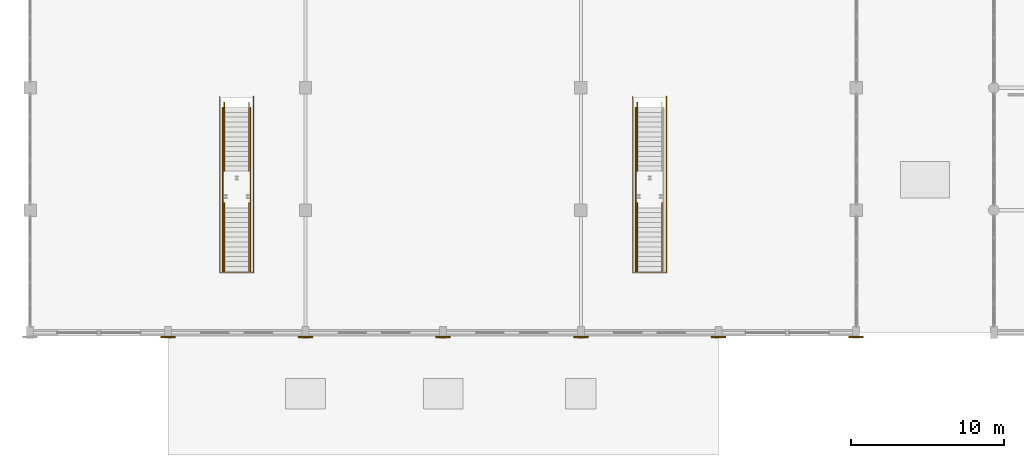
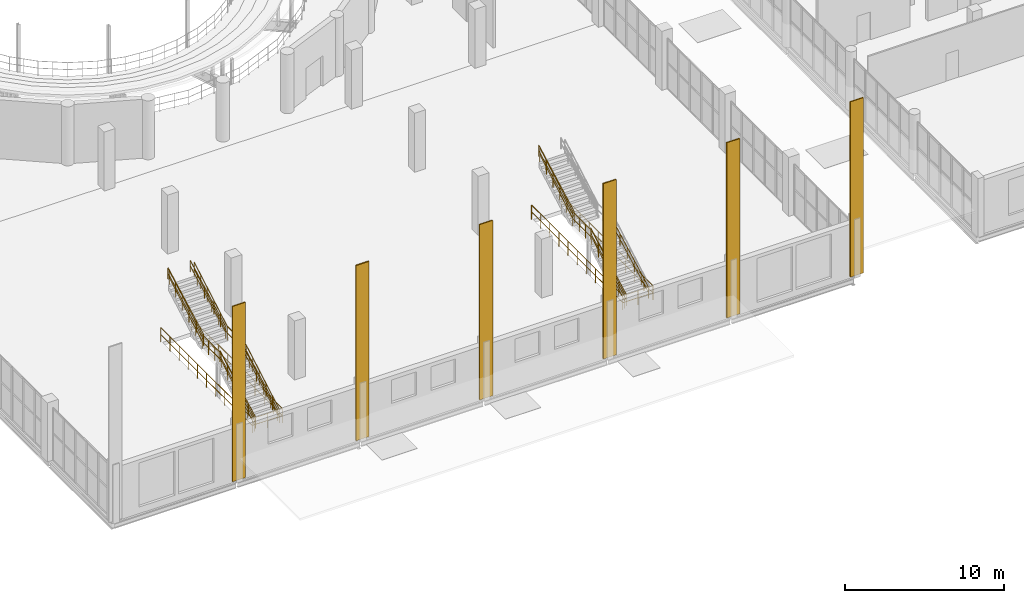
# One storey, part 85 of 93: 12 railings, 6 coverings.
"""IFC4 building model written with IfcOpenShell, lengths in metres."""

from ifc_helpers import new_model, si_unit, direction, frame, origin, origin_2d, place, context, subcontext, project, spatial, rectangle, circle, extrude, material, layer, layer_set, type_object, element, save


model = new_model("IFC4")

# Units and contexts
model_context = context("Model", 3, precision=1e-05, world=origin(), true_north=direction((0.0, 1.0)))
body_context = subcontext(model_context, "Body", "Model", "MODEL_VIEW")
ifc_project = project(units=[si_unit("LENGTHUNIT", "METRE"), si_unit("AREAUNIT", "SQUARE_METRE"), si_unit("VOLUMEUNIT", "CUBIC_METRE"), si_unit("PLANEANGLEUNIT", "RADIAN"), si_unit("MASSUNIT", "GRAM", prefix="KILO")], contexts=[model_context])

# Site, building, storey
site_placement = place(None, origin())
site = spatial("IfcSite", under=ifc_project, at=site_placement, CompositionType="ELEMENT")
building_placement = place(site_placement, origin())
building = spatial("IfcBuilding", under=site, at=building_placement, Name="Marnock Terrace Opera House", CompositionType="ELEMENT")
storey_placement = place(building_placement, frame((0.0, 0.0, 5.39990234375)))
storey = spatial("IfcBuildingStorey", under=building, at=storey_placement, Name="L01", CompositionType="ELEMENT", Elevation=5.39990234375)

# Coverings
ifc_material_1 = material(Name="Basket Range sandstone ashlar masonry", Category="masonry")
ifc_layer_1 = layer(ifc_material_1, 0.0849609375)
ifc_layer_set_1 = layer_set([ifc_layer_1], Name="Basket Range sandstone ashlar masonry")
covering_type_1 = type_object("IfcCoveringType", Name="COV-CLAD-ASHLAR", PredefinedType="CLADDING", material=ifc_layer_set_1)
for number, where, z_axis, x_axis, name in (
    (1, (73.0, 7.719970703125, 0.150146484375), (0.0, 0.0, 1.0), (1.0, 0.0, 0.0), "Grand Hall south Basket Range sandstone pilaster cladding 3"),
    (2, (91.0, 7.719970703125, 0.150146484375), (0.0, 0.0, 1.0), (1.0, 0.0, 0.0), "Grand Hall south Basket Range sandstone pilaster cladding 5"),
    (3, (109.0, 7.719970703125, 0.150146484375), (0.0, 0.0, 1.0), (1.0, 0.0, 0.0), "Grand Hall south Basket Range sandstone pilaster cladding 7"),
):
    element("IfcCovering", number, at=place(storey_placement, frame(where, z_axis=z_axis, x_axis=x_axis)), inside=storey, type_object=covering_type_1, Name=name, PredefinedType="CLADDING", context=body_context, shape_type="SweptSolid", body=[
        extrude(rectangle(XDim=0.949951171875, YDim=0.0849609375, at=origin_2d()), origin(), (0.0, 0.0, 1.0), 13.5),
    ])
ifc_material_2 = material(Name="Carey Gully rusticated stone masonry", Category="masonry")
ifc_layer_2 = layer(ifc_material_2, 0.10498046875)
ifc_layer_set_2 = layer_set([ifc_layer_2], Name="Carey Gully rusticated stone masonry")
covering_type_2 = type_object("IfcCoveringType", Name="COV-CLAD-RUSTIC", PredefinedType="CLADDING", material=ifc_layer_set_2)
for number, where, z_axis, x_axis, name in (
    (4, (64.0, 7.719970703125, 0.150146484375), (0.0, 0.0, 1.0), (1.0, 0.0, 0.0), "Grand Hall south Basket Range sandstone pilaster cladding 2"),
    (5, (82.0, 7.719970703125, 0.150146484375), (0.0, 0.0, 1.0), (1.0, 0.0, 0.0), "Grand Hall south Basket Range sandstone pilaster cladding 4"),
    (6, (100.0, 7.719970703125, 0.150146484375), (0.0, 0.0, 1.0), (1.0, 0.0, 0.0), "Grand Hall south Basket Range sandstone pilaster cladding 6"),
):
    element("IfcCovering", number, at=place(storey_placement, frame(where, z_axis=z_axis, x_axis=x_axis)), inside=storey, type_object=covering_type_2, Name=name, PredefinedType="CLADDING", context=body_context, shape_type="SweptSolid", body=[
        extrude(rectangle(XDim=0.949951171875, YDim=0.0849609375, at=origin_2d()), origin(), (0.0, 0.0, 1.0), 13.5),
    ])

# Railings
ifc_material_3 = material(Name="Architectural bronze balustrade")
railing_type_1 = type_object("IfcRailingType", Name="RL-ATRIUM-1120", PredefinedType="BALUSTRADE", material=ifc_material_3)
railing_1_placement = place(storey_placement, frame((67.39990234375, 23.43994140625, 0.0)))
element("IfcRailing", 7, at=railing_1_placement, inside=storey, type_object=railing_type_1, Name="L01 floor opening balustrade ESC-ST09", PredefinedType="BALUSTRADE", context=body_context, shape_type="SweptSolid", body=[
    extrude(circle(Radius=0.02392578125, at=origin_2d()), frame((0.0, 0.0, 1.09619140625), z_axis=(0.0, -1.0, 0.0), x_axis=(1.0, 0.0, 0.0)), (0.0, 0.0, 1.0), 11.52001953125),
    extrude(circle(Radius=0.02392578125, at=origin_2d()), frame((0.0, 0.0, 0.56005859375), z_axis=(0.0, -1.0, 0.0), x_axis=(1.0, 0.0, 0.0)), (0.0, 0.0, 1.0), 11.52001953125),
    extrude(circle(Radius=0.02392578125, at=origin_2d()), frame((0.0, -11.52001953125, 1.09619140625), z_axis=(1.0, 0.0, 0.0), x_axis=(0.0, 1.0, 0.0)), (0.0, 0.0, 1.0), 2.2001953125),
    extrude(circle(Radius=0.02392578125, at=origin_2d()), frame((0.0, -11.52001953125, 0.56005859375), z_axis=(1.0, 0.0, 0.0), x_axis=(0.0, 1.0, 0.0)), (0.0, 0.0, 1.0), 2.2001953125),
    extrude(circle(Radius=0.02392578125, at=origin_2d()), frame((2.2001953125, -11.52001953125, 1.09619140625), z_axis=(0.0, 1.0, 0.0), x_axis=(-1.0, 0.0, 0.0)), (0.0, 0.0, 1.0), 11.52001953125),
    extrude(circle(Radius=0.02392578125, at=origin_2d()), frame((2.2001953125, -11.52001953125, 0.56005859375), z_axis=(0.0, 1.0, 0.0), x_axis=(-1.0, 0.0, 0.0)), (0.0, 0.0, 1.0), 11.52001953125),
    extrude(circle(Radius=0.02099609375, at=origin_2d()), origin(), (0.0, 0.0, 1.0), 1.072021484375),
    extrude(circle(Radius=0.02099609375, at=origin_2d()), frame((0.0, -1.152099609375, 0.0)), (0.0, 0.0, 1.0), 1.072021484375),
    extrude(circle(Radius=0.02099609375, at=origin_2d()), frame((0.0, -2.303955078125, 0.0)), (0.0, 0.0, 1.0), 1.072021484375),
    extrude(circle(Radius=0.02099609375, at=origin_2d()), frame((0.0, -3.4560546875, 0.0)), (0.0, 0.0, 1.0), 1.072021484375),
    extrude(circle(Radius=0.02099609375, at=origin_2d()), frame((0.0, -4.60791015625, 0.0)), (0.0, 0.0, 1.0), 1.072021484375),
    extrude(circle(Radius=0.02099609375, at=origin_2d()), frame((0.0, -5.760009765625, 0.0)), (0.0, 0.0, 1.0), 1.072021484375),
    extrude(circle(Radius=0.02099609375, at=origin_2d()), frame((0.0, -6.912109375, 0.0)), (0.0, 0.0, 1.0), 1.072021484375),
    extrude(circle(Radius=0.02099609375, at=origin_2d()), frame((0.0, -8.06396484375, 0.0)), (0.0, 0.0, 1.0), 1.072021484375),
    extrude(circle(Radius=0.02099609375, at=origin_2d()), frame((0.0, -9.216064453125, 0.0)), (0.0, 0.0, 1.0), 1.072021484375),
    extrude(circle(Radius=0.02099609375, at=origin_2d()), frame((0.0, -10.367919921875, 0.0)), (0.0, 0.0, 1.0), 1.072021484375),
    extrude(circle(Radius=0.02099609375, at=origin_2d()), frame((0.0, -11.52001953125, 0.0)), (0.0, 0.0, 1.0), 1.072021484375),
    extrude(circle(Radius=0.02099609375, at=origin_2d()), frame((1.10009765625, -11.52001953125, 0.0)), (0.0, 0.0, 1.0), 1.072021484375),
    extrude(circle(Radius=0.02099609375, at=origin_2d()), frame((2.2001953125, -11.52001953125, 0.0)), (0.0, 0.0, 1.0), 1.072021484375),
    extrude(circle(Radius=0.02099609375, at=origin_2d()), frame((2.2001953125, -10.367919921875, 0.0)), (0.0, 0.0, 1.0), 1.072021484375),
    extrude(circle(Radius=0.02099609375, at=origin_2d()), frame((2.2001953125, -9.216064453125, 0.0)), (0.0, 0.0, 1.0), 1.072021484375),
    extrude(circle(Radius=0.02099609375, at=origin_2d()), frame((2.2001953125, -8.06396484375, 0.0)), (0.0, 0.0, 1.0), 1.072021484375),
    extrude(circle(Radius=0.02099609375, at=origin_2d()), frame((2.2001953125, -6.912109375, 0.0)), (0.0, 0.0, 1.0), 1.072021484375),
    extrude(circle(Radius=0.02099609375, at=origin_2d()), frame((2.2001953125, -5.760009765625, 0.0)), (0.0, 0.0, 1.0), 1.072021484375),
    extrude(circle(Radius=0.02099609375, at=origin_2d()), frame((2.2001953125, -4.60791015625, 0.0)), (0.0, 0.0, 1.0), 1.072021484375),
    extrude(circle(Radius=0.02099609375, at=origin_2d()), frame((2.2001953125, -3.4560546875, 0.0)), (0.0, 0.0, 1.0), 1.072021484375),
    extrude(circle(Radius=0.02099609375, at=origin_2d()), frame((2.2001953125, -2.303955078125, 0.0)), (0.0, 0.0, 1.0), 1.072021484375),
    extrude(circle(Radius=0.02099609375, at=origin_2d()), frame((2.2001953125, -1.152099609375, 0.0)), (0.0, 0.0, 1.0), 1.072021484375),
    extrude(circle(Radius=0.02099609375, at=origin_2d()), frame((2.2001953125, 0.0, 0.0)), (0.0, 0.0, 1.0), 1.072021484375),
])
railing_2_placement = place(storey_placement, frame((94.39990234375, 23.43994140625, 0.0)))
element("IfcRailing", 8, at=railing_2_placement, inside=storey, type_object=railing_type_1, Name="L01 floor opening balustrade ESC-ST10", PredefinedType="BALUSTRADE", context=body_context, shape_type="SweptSolid", body=[
    extrude(circle(Radius=0.02392578125, at=origin_2d()), frame((0.0, 0.0, 1.09619140625), z_axis=(0.0, -1.0, 0.0), x_axis=(1.0, 0.0, 0.0)), (0.0, 0.0, 1.0), 11.52001953125),
    extrude(circle(Radius=0.02392578125, at=origin_2d()), frame((0.0, 0.0, 0.56005859375), z_axis=(0.0, -1.0, 0.0), x_axis=(1.0, 0.0, 0.0)), (0.0, 0.0, 1.0), 11.52001953125),
    extrude(circle(Radius=0.02392578125, at=origin_2d()), frame((0.0, -11.52001953125, 1.09619140625), z_axis=(1.0, 0.0, 0.0), x_axis=(0.0, 1.0, 0.0)), (0.0, 0.0, 1.0), 2.2001953125),
    extrude(circle(Radius=0.02392578125, at=origin_2d()), frame((0.0, -11.52001953125, 0.56005859375), z_axis=(1.0, 0.0, 0.0), x_axis=(0.0, 1.0, 0.0)), (0.0, 0.0, 1.0), 2.2001953125),
    extrude(circle(Radius=0.02392578125, at=origin_2d()), frame((2.2001953125, -11.52001953125, 1.09619140625), z_axis=(0.0, 1.0, 0.0), x_axis=(-1.0, 0.0, 0.0)), (0.0, 0.0, 1.0), 11.52001953125),
    extrude(circle(Radius=0.02392578125, at=origin_2d()), frame((2.2001953125, -11.52001953125, 0.56005859375), z_axis=(0.0, 1.0, 0.0), x_axis=(-1.0, 0.0, 0.0)), (0.0, 0.0, 1.0), 11.52001953125),
    extrude(circle(Radius=0.02099609375, at=origin_2d()), origin(), (0.0, 0.0, 1.0), 1.072021484375),
    extrude(circle(Radius=0.02099609375, at=origin_2d()), frame((0.0, -1.152099609375, 0.0)), (0.0, 0.0, 1.0), 1.072021484375),
    extrude(circle(Radius=0.02099609375, at=origin_2d()), frame((0.0, -2.303955078125, 0.0)), (0.0, 0.0, 1.0), 1.072021484375),
    extrude(circle(Radius=0.02099609375, at=origin_2d()), frame((0.0, -3.4560546875, 0.0)), (0.0, 0.0, 1.0), 1.072021484375),
    extrude(circle(Radius=0.02099609375, at=origin_2d()), frame((0.0, -4.60791015625, 0.0)), (0.0, 0.0, 1.0), 1.072021484375),
    extrude(circle(Radius=0.02099609375, at=origin_2d()), frame((0.0, -5.760009765625, 0.0)), (0.0, 0.0, 1.0), 1.072021484375),
    extrude(circle(Radius=0.02099609375, at=origin_2d()), frame((0.0, -6.912109375, 0.0)), (0.0, 0.0, 1.0), 1.072021484375),
    extrude(circle(Radius=0.02099609375, at=origin_2d()), frame((0.0, -8.06396484375, 0.0)), (0.0, 0.0, 1.0), 1.072021484375),
    extrude(circle(Radius=0.02099609375, at=origin_2d()), frame((0.0, -9.216064453125, 0.0)), (0.0, 0.0, 1.0), 1.072021484375),
    extrude(circle(Radius=0.02099609375, at=origin_2d()), frame((0.0, -10.367919921875, 0.0)), (0.0, 0.0, 1.0), 1.072021484375),
    extrude(circle(Radius=0.02099609375, at=origin_2d()), frame((0.0, -11.52001953125, 0.0)), (0.0, 0.0, 1.0), 1.072021484375),
    extrude(circle(Radius=0.02099609375, at=origin_2d()), frame((1.10009765625, -11.52001953125, 0.0)), (0.0, 0.0, 1.0), 1.072021484375),
    extrude(circle(Radius=0.02099609375, at=origin_2d()), frame((2.2001953125, -11.52001953125, 0.0)), (0.0, 0.0, 1.0), 1.072021484375),
    extrude(circle(Radius=0.02099609375, at=origin_2d()), frame((2.2001953125, -10.367919921875, 0.0)), (0.0, 0.0, 1.0), 1.072021484375),
    extrude(circle(Radius=0.02099609375, at=origin_2d()), frame((2.2001953125, -9.216064453125, 0.0)), (0.0, 0.0, 1.0), 1.072021484375),
    extrude(circle(Radius=0.02099609375, at=origin_2d()), frame((2.2001953125, -8.06396484375, 0.0)), (0.0, 0.0, 1.0), 1.072021484375),
    extrude(circle(Radius=0.02099609375, at=origin_2d()), frame((2.2001953125, -6.912109375, 0.0)), (0.0, 0.0, 1.0), 1.072021484375),
    extrude(circle(Radius=0.02099609375, at=origin_2d()), frame((2.2001953125, -5.760009765625, 0.0)), (0.0, 0.0, 1.0), 1.072021484375),
    extrude(circle(Radius=0.02099609375, at=origin_2d()), frame((2.2001953125, -4.60791015625, 0.0)), (0.0, 0.0, 1.0), 1.072021484375),
    extrude(circle(Radius=0.02099609375, at=origin_2d()), frame((2.2001953125, -3.4560546875, 0.0)), (0.0, 0.0, 1.0), 1.072021484375),
    extrude(circle(Radius=0.02099609375, at=origin_2d()), frame((2.2001953125, -2.303955078125, 0.0)), (0.0, 0.0, 1.0), 1.072021484375),
    extrude(circle(Radius=0.02099609375, at=origin_2d()), frame((2.2001953125, -1.152099609375, 0.0)), (0.0, 0.0, 1.0), 1.072021484375),
    extrude(circle(Radius=0.02099609375, at=origin_2d()), frame((2.2001953125, 0.0, 0.0)), (0.0, 0.0, 1.0), 1.072021484375),
])
railing_type_2 = type_object("IfcRailingType", Name="RL-GUARD-1100", PredefinedType="GUARDRAIL", material=ifc_material_3)
railing_3_placement = place(storey_placement, frame((67.590087890625, 12.0, 0.0)))
element("IfcRailing", 9, at=railing_3_placement, inside=storey, type_object=railing_type_2, Name="L01 Grand Stair side guard L", PredefinedType="GUARDRAIL", context=body_context, shape_type="SweptSolid", body=[
    extrude(circle(Radius=0.02392578125, at=origin_2d()), frame((0.0, 0.0, 1.076171875), z_axis=(0.0, 0.866167813198, 0.499753258498), x_axis=(-1.0, 0.0, 0.0)), (0.0, 0.0, 1.0), 4.802734375),
    extrude(circle(Radius=0.02392578125, at=origin_2d()), frame((0.0, 0.0, 0.550048828125), z_axis=(0.0, 0.866167813198, 0.499753258498), x_axis=(-1.0, 0.0, 0.0)), (0.0, 0.0, 1.0), 4.802734375),
    extrude(circle(Radius=0.02392578125, at=origin_2d()), frame((0.0, 4.159912109375, 3.47607421875), z_axis=(0.0, 1.0, 0.0), x_axis=(-1.0, 0.0, 0.0)), (0.0, 0.0, 1.0), 2.400146484375),
    extrude(circle(Radius=0.02392578125, at=origin_2d()), frame((0.0, 4.159912109375, 2.9501953125), z_axis=(0.0, 1.0, 0.0), x_axis=(-1.0, 0.0, 0.0)), (0.0, 0.0, 1.0), 2.400146484375),
    extrude(circle(Radius=0.02392578125, at=origin_2d()), frame((0.0, 6.56005859375, 3.47607421875), z_axis=(0.0, 0.866189817626, 0.499715118684), x_axis=(-1.0, 0.0, 0.0)), (0.0, 0.0, 1.0), 4.802490234375),
    extrude(circle(Radius=0.02392578125, at=origin_2d()), frame((0.0, 6.56005859375, 2.9501953125), z_axis=(0.0, 0.866189817626, 0.499715118684), x_axis=(-1.0, 0.0, 0.0)), (0.0, 0.0, 1.0), 4.802490234375),
    extrude(circle(Radius=0.02099609375, at=origin_2d()), origin(), (0.0, 0.0, 1.0), 1.052001953125),
    extrude(circle(Radius=0.02099609375, at=origin_2d()), frame((0.0, 0.83203125, 0.47998046875)), (0.0, 0.0, 1.0), 1.052001953125),
    extrude(circle(Radius=0.02099609375, at=origin_2d()), frame((0.0, 1.6640625, 0.9599609375)), (0.0, 0.0, 1.0), 1.052001953125),
    extrude(circle(Radius=0.02099609375, at=origin_2d()), frame((0.0, 2.495849609375, 1.440185546875)), (0.0, 0.0, 1.0), 1.052001953125),
    extrude(circle(Radius=0.02099609375, at=origin_2d()), frame((0.0, 3.327880859375, 1.920166015625)), (0.0, 0.0, 1.0), 1.052001953125),
    extrude(circle(Radius=0.02099609375, at=origin_2d()), frame((0.0, 4.159912109375, 2.400146484375)), (0.0, 0.0, 1.0), 1.052001953125),
    extrude(circle(Radius=0.02099609375, at=origin_2d()), frame((0.0, 4.9599609375, 2.400146484375)), (0.0, 0.0, 1.0), 1.052001953125),
    extrude(circle(Radius=0.02099609375, at=origin_2d()), frame((0.0, 5.760009765625, 2.400146484375)), (0.0, 0.0, 1.0), 1.052001953125),
    extrude(circle(Radius=0.02099609375, at=origin_2d()), frame((0.0, 6.56005859375, 2.400146484375)), (0.0, 0.0, 1.0), 1.052001953125),
    extrude(circle(Radius=0.02099609375, at=origin_2d()), frame((0.0, 7.39208984375, 2.880126953125)), (0.0, 0.0, 1.0), 1.052001953125),
    extrude(circle(Radius=0.02099609375, at=origin_2d()), frame((0.0, 8.22412109375, 3.360107421875)), (0.0, 0.0, 1.0), 1.052001953125),
    extrude(circle(Radius=0.02099609375, at=origin_2d()), frame((0.0, 9.055908203125, 3.840087890625)), (0.0, 0.0, 1.0), 1.052001953125),
    extrude(circle(Radius=0.02099609375, at=origin_2d()), frame((0.0, 9.887939453125, 4.320068359375)), (0.0, 0.0, 1.0), 1.052001953125),
    extrude(circle(Radius=0.02099609375, at=origin_2d()), frame((0.0, 10.719970703125, 4.800048828125)), (0.0, 0.0, 1.0), 1.052001953125),
])
railing_4_placement = place(storey_placement, frame((69.409912109375, 12.0, 0.0)))
element("IfcRailing", 10, at=railing_4_placement, inside=storey, type_object=railing_type_2, Name="L01 Grand Stair side guard R", PredefinedType="GUARDRAIL", context=body_context, shape_type="SweptSolid", body=[
    extrude(circle(Radius=0.02392578125, at=origin_2d()), frame((0.0, 0.0, 1.076171875), z_axis=(0.0, 0.866167813198, 0.499753258498), x_axis=(-1.0, 0.0, 0.0)), (0.0, 0.0, 1.0), 4.802734375),
    extrude(circle(Radius=0.02392578125, at=origin_2d()), frame((0.0, 0.0, 0.550048828125), z_axis=(0.0, 0.866167813198, 0.499753258498), x_axis=(-1.0, 0.0, 0.0)), (0.0, 0.0, 1.0), 4.802734375),
    extrude(circle(Radius=0.02392578125, at=origin_2d()), frame((0.0, 4.159912109375, 3.47607421875), z_axis=(0.0, 1.0, 0.0), x_axis=(-1.0, 0.0, 0.0)), (0.0, 0.0, 1.0), 2.400146484375),
    extrude(circle(Radius=0.02392578125, at=origin_2d()), frame((0.0, 4.159912109375, 2.9501953125), z_axis=(0.0, 1.0, 0.0), x_axis=(-1.0, 0.0, 0.0)), (0.0, 0.0, 1.0), 2.400146484375),
    extrude(circle(Radius=0.02392578125, at=origin_2d()), frame((0.0, 6.56005859375, 3.47607421875), z_axis=(0.0, 0.866189817626, 0.499715118684), x_axis=(-1.0, 0.0, 0.0)), (0.0, 0.0, 1.0), 4.802490234375),
    extrude(circle(Radius=0.02392578125, at=origin_2d()), frame((0.0, 6.56005859375, 2.9501953125), z_axis=(0.0, 0.866189817626, 0.499715118684), x_axis=(-1.0, 0.0, 0.0)), (0.0, 0.0, 1.0), 4.802490234375),
    extrude(circle(Radius=0.02099609375, at=origin_2d()), origin(), (0.0, 0.0, 1.0), 1.052001953125),
    extrude(circle(Radius=0.02099609375, at=origin_2d()), frame((0.0, 0.83203125, 0.47998046875)), (0.0, 0.0, 1.0), 1.052001953125),
    extrude(circle(Radius=0.02099609375, at=origin_2d()), frame((0.0, 1.6640625, 0.9599609375)), (0.0, 0.0, 1.0), 1.052001953125),
    extrude(circle(Radius=0.02099609375, at=origin_2d()), frame((0.0, 2.495849609375, 1.440185546875)), (0.0, 0.0, 1.0), 1.052001953125),
    extrude(circle(Radius=0.02099609375, at=origin_2d()), frame((0.0, 3.327880859375, 1.920166015625)), (0.0, 0.0, 1.0), 1.052001953125),
    extrude(circle(Radius=0.02099609375, at=origin_2d()), frame((0.0, 4.159912109375, 2.400146484375)), (0.0, 0.0, 1.0), 1.052001953125),
    extrude(circle(Radius=0.02099609375, at=origin_2d()), frame((0.0, 4.9599609375, 2.400146484375)), (0.0, 0.0, 1.0), 1.052001953125),
    extrude(circle(Radius=0.02099609375, at=origin_2d()), frame((0.0, 5.760009765625, 2.400146484375)), (0.0, 0.0, 1.0), 1.052001953125),
    extrude(circle(Radius=0.02099609375, at=origin_2d()), frame((0.0, 6.56005859375, 2.400146484375)), (0.0, 0.0, 1.0), 1.052001953125),
    extrude(circle(Radius=0.02099609375, at=origin_2d()), frame((0.0, 7.39208984375, 2.880126953125)), (0.0, 0.0, 1.0), 1.052001953125),
    extrude(circle(Radius=0.02099609375, at=origin_2d()), frame((0.0, 8.22412109375, 3.360107421875)), (0.0, 0.0, 1.0), 1.052001953125),
    extrude(circle(Radius=0.02099609375, at=origin_2d()), frame((0.0, 9.055908203125, 3.840087890625)), (0.0, 0.0, 1.0), 1.052001953125),
    extrude(circle(Radius=0.02099609375, at=origin_2d()), frame((0.0, 9.887939453125, 4.320068359375)), (0.0, 0.0, 1.0), 1.052001953125),
    extrude(circle(Radius=0.02099609375, at=origin_2d()), frame((0.0, 10.719970703125, 4.800048828125)), (0.0, 0.0, 1.0), 1.052001953125),
])
railing_5_placement = place(storey_placement, frame((94.590087890625, 12.0, 0.0)))
element("IfcRailing", 11, at=railing_5_placement, inside=storey, type_object=railing_type_2, Name="L01 Grand Stair side guard L", PredefinedType="GUARDRAIL", context=body_context, shape_type="SweptSolid", body=[
    extrude(circle(Radius=0.02392578125, at=origin_2d()), frame((0.0, 0.0, 1.076171875), z_axis=(0.0, 0.866167813198, 0.499753258498), x_axis=(-1.0, 0.0, 0.0)), (0.0, 0.0, 1.0), 4.802734375),
    extrude(circle(Radius=0.02392578125, at=origin_2d()), frame((0.0, 0.0, 0.550048828125), z_axis=(0.0, 0.866167813198, 0.499753258498), x_axis=(-1.0, 0.0, 0.0)), (0.0, 0.0, 1.0), 4.802734375),
    extrude(circle(Radius=0.02392578125, at=origin_2d()), frame((0.0, 4.159912109375, 3.47607421875), z_axis=(0.0, 1.0, 0.0), x_axis=(-1.0, 0.0, 0.0)), (0.0, 0.0, 1.0), 2.400146484375),
    extrude(circle(Radius=0.02392578125, at=origin_2d()), frame((0.0, 4.159912109375, 2.9501953125), z_axis=(0.0, 1.0, 0.0), x_axis=(-1.0, 0.0, 0.0)), (0.0, 0.0, 1.0), 2.400146484375),
    extrude(circle(Radius=0.02392578125, at=origin_2d()), frame((0.0, 6.56005859375, 3.47607421875), z_axis=(0.0, 0.866189817626, 0.499715118684), x_axis=(-1.0, 0.0, 0.0)), (0.0, 0.0, 1.0), 4.802490234375),
    extrude(circle(Radius=0.02392578125, at=origin_2d()), frame((0.0, 6.56005859375, 2.9501953125), z_axis=(0.0, 0.866189817626, 0.499715118684), x_axis=(-1.0, 0.0, 0.0)), (0.0, 0.0, 1.0), 4.802490234375),
    extrude(circle(Radius=0.02099609375, at=origin_2d()), origin(), (0.0, 0.0, 1.0), 1.052001953125),
    extrude(circle(Radius=0.02099609375, at=origin_2d()), frame((0.0, 0.83203125, 0.47998046875)), (0.0, 0.0, 1.0), 1.052001953125),
    extrude(circle(Radius=0.02099609375, at=origin_2d()), frame((0.0, 1.6640625, 0.9599609375)), (0.0, 0.0, 1.0), 1.052001953125),
    extrude(circle(Radius=0.02099609375, at=origin_2d()), frame((0.0, 2.495849609375, 1.440185546875)), (0.0, 0.0, 1.0), 1.052001953125),
    extrude(circle(Radius=0.02099609375, at=origin_2d()), frame((0.0, 3.327880859375, 1.920166015625)), (0.0, 0.0, 1.0), 1.052001953125),
    extrude(circle(Radius=0.02099609375, at=origin_2d()), frame((0.0, 4.159912109375, 2.400146484375)), (0.0, 0.0, 1.0), 1.052001953125),
    extrude(circle(Radius=0.02099609375, at=origin_2d()), frame((0.0, 4.9599609375, 2.400146484375)), (0.0, 0.0, 1.0), 1.052001953125),
    extrude(circle(Radius=0.02099609375, at=origin_2d()), frame((0.0, 5.760009765625, 2.400146484375)), (0.0, 0.0, 1.0), 1.052001953125),
    extrude(circle(Radius=0.02099609375, at=origin_2d()), frame((0.0, 6.56005859375, 2.400146484375)), (0.0, 0.0, 1.0), 1.052001953125),
    extrude(circle(Radius=0.02099609375, at=origin_2d()), frame((0.0, 7.39208984375, 2.880126953125)), (0.0, 0.0, 1.0), 1.052001953125),
    extrude(circle(Radius=0.02099609375, at=origin_2d()), frame((0.0, 8.22412109375, 3.360107421875)), (0.0, 0.0, 1.0), 1.052001953125),
    extrude(circle(Radius=0.02099609375, at=origin_2d()), frame((0.0, 9.055908203125, 3.840087890625)), (0.0, 0.0, 1.0), 1.052001953125),
    extrude(circle(Radius=0.02099609375, at=origin_2d()), frame((0.0, 9.887939453125, 4.320068359375)), (0.0, 0.0, 1.0), 1.052001953125),
    extrude(circle(Radius=0.02099609375, at=origin_2d()), frame((0.0, 10.719970703125, 4.800048828125)), (0.0, 0.0, 1.0), 1.052001953125),
])
railing_type_3 = type_object("IfcRailingType", Name="RL-HAND-900", PredefinedType="HANDRAIL", material=ifc_material_3)
railing_6_placement = place(storey_placement, frame((67.68994140625, 12.0, 0.18359375)))
element("IfcRailing", 12, at=railing_6_placement, inside=storey, type_object=railing_type_3, Name="L01 Grand Stair lower flight handrail L", PredefinedType="HANDRAIL", context=body_context, shape_type="SweptSolid", body=[
    extrude(circle(Radius=0.02392578125, at=origin_2d()), frame((0.0, 0.0, 0.8759765625), z_axis=(0.0, 0.881487111273, 0.472208081951), x_axis=(-1.0, 0.0, 0.0)), (0.0, 0.0, 1.0), 5.082275390625),
    extrude(circle(Radius=0.02392578125, at=origin_2d()), frame((0.0, 0.0, 0.449951171875), z_axis=(0.0, 0.881487111273, 0.472208081951), x_axis=(-1.0, 0.0, 0.0)), (0.0, 0.0, 1.0), 5.082275390625),
    extrude(circle(Radius=0.02099609375, at=origin_2d()), origin(), (0.0, 0.0, 1.0), 0.851806640625),
    extrude(circle(Radius=0.02099609375, at=origin_2d()), frame((0.0, 0.89599609375, 0.47998046875)), (0.0, 0.0, 1.0), 0.851806640625),
    extrude(circle(Radius=0.02099609375, at=origin_2d()), frame((0.0, 1.7919921875, 0.9599609375)), (0.0, 0.0, 1.0), 0.851806640625),
    extrude(circle(Radius=0.02099609375, at=origin_2d()), frame((0.0, 2.68798828125, 1.43994140625)), (0.0, 0.0, 1.0), 0.851806640625),
    extrude(circle(Radius=0.02099609375, at=origin_2d()), frame((0.0, 3.583984375, 1.919921875)), (0.0, 0.0, 1.0), 0.851806640625),
    extrude(circle(Radius=0.02099609375, at=origin_2d()), frame((0.0, 4.47998046875, 2.39990234375)), (0.0, 0.0, 1.0), 0.851806640625),
])
railing_7_placement = place(storey_placement, frame((67.68994140625, 18.56005859375, 2.58349609375)))
element("IfcRailing", 13, at=railing_7_placement, inside=storey, type_object=railing_type_3, Name="L01 Grand Stair upper flight handrail L", PredefinedType="HANDRAIL", context=body_context, shape_type="SweptSolid", body=[
    extrude(circle(Radius=0.02392578125, at=origin_2d()), frame((0.0, 0.0, 0.8759765625), z_axis=(0.0, 0.881467115574, 0.472245406714), x_axis=(-1.0, 0.0, 0.0)), (0.0, 0.0, 1.0), 5.08251953125),
    extrude(circle(Radius=0.02392578125, at=origin_2d()), frame((0.0, 0.0, 0.449951171875), z_axis=(0.0, 0.881467115574, 0.472245406714), x_axis=(-1.0, 0.0, 0.0)), (0.0, 0.0, 1.0), 5.08251953125),
    extrude(circle(Radius=0.02099609375, at=origin_2d()), origin(), (0.0, 0.0, 1.0), 0.851806640625),
    extrude(circle(Radius=0.02099609375, at=origin_2d()), frame((0.0, 0.89599609375, 0.47998046875)), (0.0, 0.0, 1.0), 0.851806640625),
    extrude(circle(Radius=0.02099609375, at=origin_2d()), frame((0.0, 1.7919921875, 0.9599609375)), (0.0, 0.0, 1.0), 0.851806640625),
    extrude(circle(Radius=0.02099609375, at=origin_2d()), frame((0.0, 2.68798828125, 1.440185546875)), (0.0, 0.0, 1.0), 0.851806640625),
    extrude(circle(Radius=0.02099609375, at=origin_2d()), frame((0.0, 3.583984375, 1.920166015625)), (0.0, 0.0, 1.0), 0.851806640625),
    extrude(circle(Radius=0.02099609375, at=origin_2d()), frame((0.0, 4.47998046875, 2.400146484375)), (0.0, 0.0, 1.0), 0.851806640625),
])
railing_8_placement = place(storey_placement, frame((69.31005859375, 12.0, 0.18359375)))
element("IfcRailing", 14, at=railing_8_placement, inside=storey, type_object=railing_type_3, Name="L01 Grand Stair lower flight handrail R", PredefinedType="HANDRAIL", context=body_context, shape_type="SweptSolid", body=[
    extrude(circle(Radius=0.02392578125, at=origin_2d()), frame((0.0, 0.0, 0.8759765625), z_axis=(0.0, 0.881487111273, 0.472208081951), x_axis=(-1.0, 0.0, 0.0)), (0.0, 0.0, 1.0), 5.082275390625),
    extrude(circle(Radius=0.02392578125, at=origin_2d()), frame((0.0, 0.0, 0.449951171875), z_axis=(0.0, 0.881487111273, 0.472208081951), x_axis=(-1.0, 0.0, 0.0)), (0.0, 0.0, 1.0), 5.082275390625),
    extrude(circle(Radius=0.02099609375, at=origin_2d()), origin(), (0.0, 0.0, 1.0), 0.851806640625),
    extrude(circle(Radius=0.02099609375, at=origin_2d()), frame((0.0, 0.89599609375, 0.47998046875)), (0.0, 0.0, 1.0), 0.851806640625),
    extrude(circle(Radius=0.02099609375, at=origin_2d()), frame((0.0, 1.7919921875, 0.9599609375)), (0.0, 0.0, 1.0), 0.851806640625),
    extrude(circle(Radius=0.02099609375, at=origin_2d()), frame((0.0, 2.68798828125, 1.43994140625)), (0.0, 0.0, 1.0), 0.851806640625),
    extrude(circle(Radius=0.02099609375, at=origin_2d()), frame((0.0, 3.583984375, 1.919921875)), (0.0, 0.0, 1.0), 0.851806640625),
    extrude(circle(Radius=0.02099609375, at=origin_2d()), frame((0.0, 4.47998046875, 2.39990234375)), (0.0, 0.0, 1.0), 0.851806640625),
])
railing_9_placement = place(storey_placement, frame((69.31005859375, 18.56005859375, 2.58349609375)))
element("IfcRailing", 15, at=railing_9_placement, inside=storey, type_object=railing_type_3, Name="L01 Grand Stair upper flight handrail R", PredefinedType="HANDRAIL", context=body_context, shape_type="SweptSolid", body=[
    extrude(circle(Radius=0.02392578125, at=origin_2d()), frame((0.0, 0.0, 0.8759765625), z_axis=(0.0, 0.881467115574, 0.472245406714), x_axis=(-1.0, 0.0, 0.0)), (0.0, 0.0, 1.0), 5.08251953125),
    extrude(circle(Radius=0.02392578125, at=origin_2d()), frame((0.0, 0.0, 0.449951171875), z_axis=(0.0, 0.881467115574, 0.472245406714), x_axis=(-1.0, 0.0, 0.0)), (0.0, 0.0, 1.0), 5.08251953125),
    extrude(circle(Radius=0.02099609375, at=origin_2d()), origin(), (0.0, 0.0, 1.0), 0.851806640625),
    extrude(circle(Radius=0.02099609375, at=origin_2d()), frame((0.0, 0.89599609375, 0.47998046875)), (0.0, 0.0, 1.0), 0.851806640625),
    extrude(circle(Radius=0.02099609375, at=origin_2d()), frame((0.0, 1.7919921875, 0.9599609375)), (0.0, 0.0, 1.0), 0.851806640625),
    extrude(circle(Radius=0.02099609375, at=origin_2d()), frame((0.0, 2.68798828125, 1.440185546875)), (0.0, 0.0, 1.0), 0.851806640625),
    extrude(circle(Radius=0.02099609375, at=origin_2d()), frame((0.0, 3.583984375, 1.920166015625)), (0.0, 0.0, 1.0), 0.851806640625),
    extrude(circle(Radius=0.02099609375, at=origin_2d()), frame((0.0, 4.47998046875, 2.400146484375)), (0.0, 0.0, 1.0), 0.851806640625),
])
railing_10_placement = place(storey_placement, frame((94.68994140625, 12.0, 0.18359375)))
element("IfcRailing", 16, at=railing_10_placement, inside=storey, type_object=railing_type_3, Name="L01 Grand Stair lower flight handrail L", PredefinedType="HANDRAIL", context=body_context, shape_type="SweptSolid", body=[
    extrude(circle(Radius=0.02392578125, at=origin_2d()), frame((0.0, 0.0, 0.8759765625), z_axis=(0.0, 0.881487111273, 0.472208081951), x_axis=(-1.0, 0.0, 0.0)), (0.0, 0.0, 1.0), 5.082275390625),
    extrude(circle(Radius=0.02392578125, at=origin_2d()), frame((0.0, 0.0, 0.449951171875), z_axis=(0.0, 0.881487111273, 0.472208081951), x_axis=(-1.0, 0.0, 0.0)), (0.0, 0.0, 1.0), 5.082275390625),
    extrude(circle(Radius=0.02099609375, at=origin_2d()), origin(), (0.0, 0.0, 1.0), 0.851806640625),
    extrude(circle(Radius=0.02099609375, at=origin_2d()), frame((0.0, 0.89599609375, 0.47998046875)), (0.0, 0.0, 1.0), 0.851806640625),
    extrude(circle(Radius=0.02099609375, at=origin_2d()), frame((0.0, 1.7919921875, 0.9599609375)), (0.0, 0.0, 1.0), 0.851806640625),
    extrude(circle(Radius=0.02099609375, at=origin_2d()), frame((0.0, 2.68798828125, 1.43994140625)), (0.0, 0.0, 1.0), 0.851806640625),
    extrude(circle(Radius=0.02099609375, at=origin_2d()), frame((0.0, 3.583984375, 1.919921875)), (0.0, 0.0, 1.0), 0.851806640625),
    extrude(circle(Radius=0.02099609375, at=origin_2d()), frame((0.0, 4.47998046875, 2.39990234375)), (0.0, 0.0, 1.0), 0.851806640625),
])
railing_11_placement = place(storey_placement, frame((94.68994140625, 18.56005859375, 2.58349609375)))
element("IfcRailing", 17, at=railing_11_placement, inside=storey, type_object=railing_type_3, Name="L01 Grand Stair upper flight handrail L", PredefinedType="HANDRAIL", context=body_context, shape_type="SweptSolid", body=[
    extrude(circle(Radius=0.02392578125, at=origin_2d()), frame((0.0, 0.0, 0.8759765625), z_axis=(0.0, 0.881467115574, 0.472245406714), x_axis=(-1.0, 0.0, 0.0)), (0.0, 0.0, 1.0), 5.08251953125),
    extrude(circle(Radius=0.02392578125, at=origin_2d()), frame((0.0, 0.0, 0.449951171875), z_axis=(0.0, 0.881467115574, 0.472245406714), x_axis=(-1.0, 0.0, 0.0)), (0.0, 0.0, 1.0), 5.08251953125),
    extrude(circle(Radius=0.02099609375, at=origin_2d()), origin(), (0.0, 0.0, 1.0), 0.851806640625),
    extrude(circle(Radius=0.02099609375, at=origin_2d()), frame((0.0, 0.89599609375, 0.47998046875)), (0.0, 0.0, 1.0), 0.851806640625),
    extrude(circle(Radius=0.02099609375, at=origin_2d()), frame((0.0, 1.7919921875, 0.9599609375)), (0.0, 0.0, 1.0), 0.851806640625),
    extrude(circle(Radius=0.02099609375, at=origin_2d()), frame((0.0, 2.68798828125, 1.440185546875)), (0.0, 0.0, 1.0), 0.851806640625),
    extrude(circle(Radius=0.02099609375, at=origin_2d()), frame((0.0, 3.583984375, 1.920166015625)), (0.0, 0.0, 1.0), 0.851806640625),
    extrude(circle(Radius=0.02099609375, at=origin_2d()), frame((0.0, 4.47998046875, 2.400146484375)), (0.0, 0.0, 1.0), 0.851806640625),
])
railing_12_placement = place(storey_placement, frame((96.31005859375, 12.0, 0.18359375)))
element("IfcRailing", 18, at=railing_12_placement, inside=storey, type_object=railing_type_3, Name="L01 Grand Stair lower flight handrail R", PredefinedType="HANDRAIL", context=body_context, shape_type="SweptSolid", body=[
    extrude(circle(Radius=0.02392578125, at=origin_2d()), frame((0.0, 0.0, 0.8759765625), z_axis=(0.0, 0.881487111273, 0.472208081951), x_axis=(-1.0, 0.0, 0.0)), (0.0, 0.0, 1.0), 5.082275390625),
    extrude(circle(Radius=0.02392578125, at=origin_2d()), frame((0.0, 0.0, 0.449951171875), z_axis=(0.0, 0.881487111273, 0.472208081951), x_axis=(-1.0, 0.0, 0.0)), (0.0, 0.0, 1.0), 5.082275390625),
    extrude(circle(Radius=0.02099609375, at=origin_2d()), origin(), (0.0, 0.0, 1.0), 0.851806640625),
    extrude(circle(Radius=0.02099609375, at=origin_2d()), frame((0.0, 0.89599609375, 0.47998046875)), (0.0, 0.0, 1.0), 0.851806640625),
    extrude(circle(Radius=0.02099609375, at=origin_2d()), frame((0.0, 1.7919921875, 0.9599609375)), (0.0, 0.0, 1.0), 0.851806640625),
    extrude(circle(Radius=0.02099609375, at=origin_2d()), frame((0.0, 2.68798828125, 1.43994140625)), (0.0, 0.0, 1.0), 0.851806640625),
    extrude(circle(Radius=0.02099609375, at=origin_2d()), frame((0.0, 3.583984375, 1.919921875)), (0.0, 0.0, 1.0), 0.851806640625),
    extrude(circle(Radius=0.02099609375, at=origin_2d()), frame((0.0, 4.47998046875, 2.39990234375)), (0.0, 0.0, 1.0), 0.851806640625),
])

save(model, "model.ifc")
